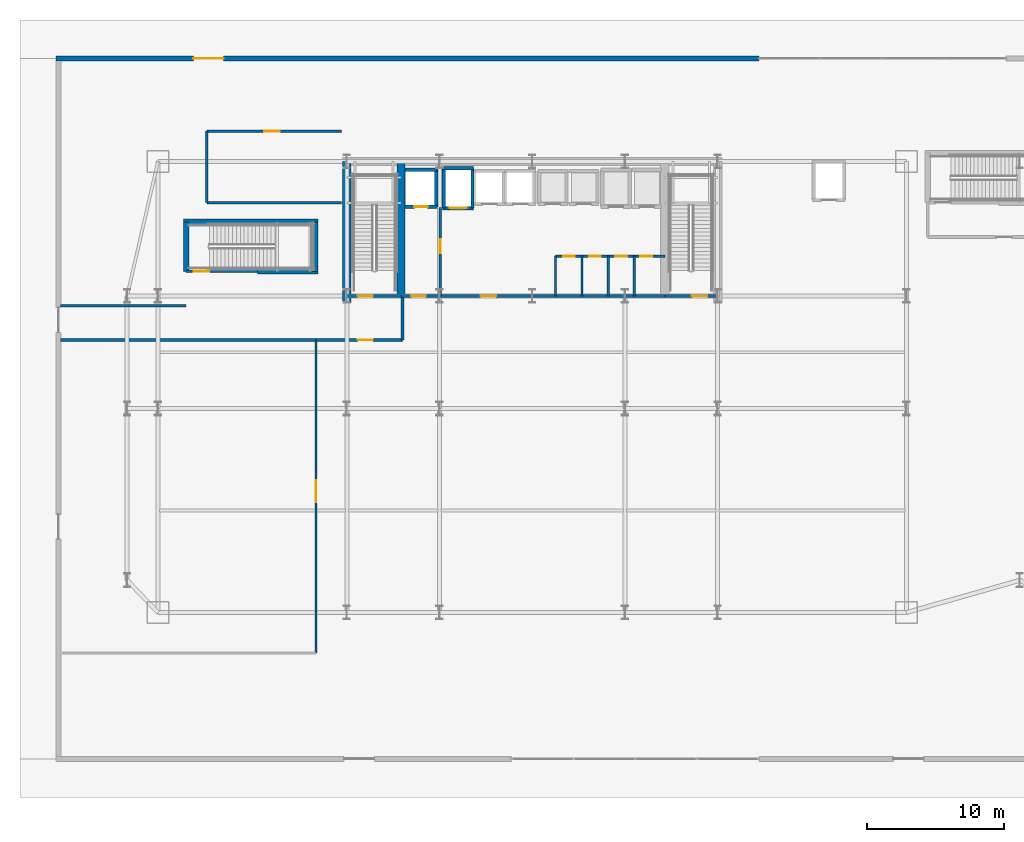
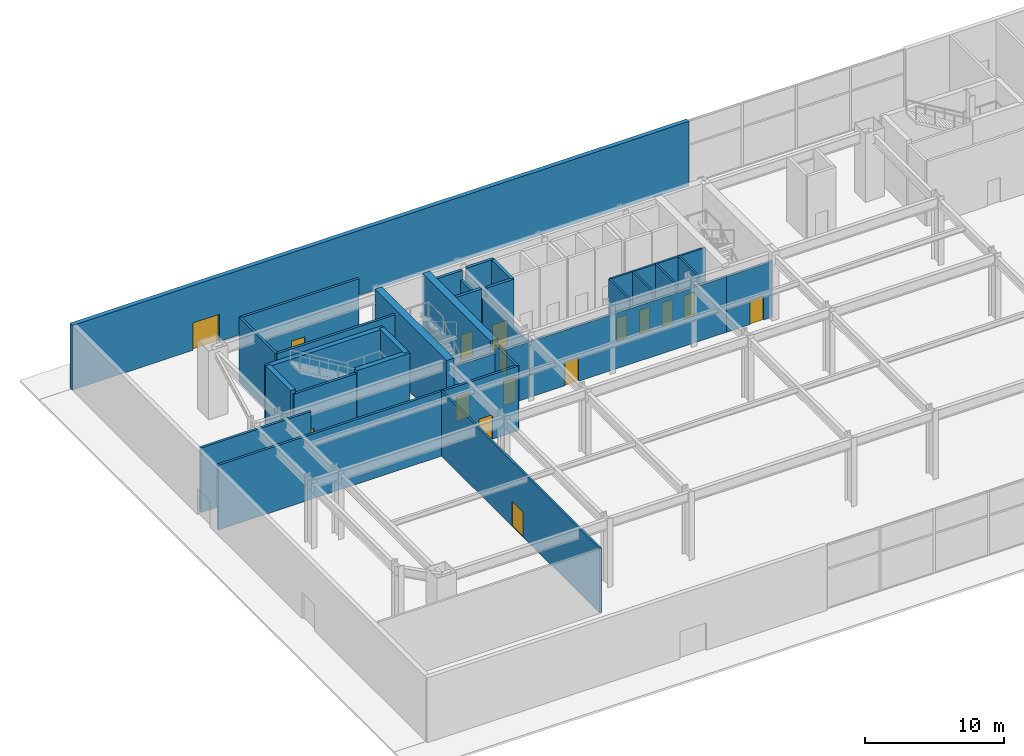
# One storey, part 20 of 30: 32 walls, 16 doors, 16 openings.
"""IFC4 building model written with IfcOpenShell, lengths in metres."""

from ifc_helpers import new_model, si_unit, direction, frame, frame_2d, origin, place, context, subcontext, project, spatial, rectangle, extrude, material, layer, layer_set, type_object, element, fill, save


model = new_model("IFC4")

# Units and contexts
model_context = context("Model", 3, precision=1e-05, world=origin(), true_north=direction((0.0, 1.0)))
body_context = subcontext(model_context, "Body", "Model", "MODEL_VIEW")
ifc_project = project(units=[si_unit("LENGTHUNIT", "METRE"), si_unit("AREAUNIT", "SQUARE_METRE"), si_unit("VOLUMEUNIT", "CUBIC_METRE"), si_unit("PLANEANGLEUNIT", "RADIAN"), si_unit("MASSUNIT", "GRAM", prefix="KILO")], contexts=[model_context])

# Site, building, storey
site_placement = place(None, origin())
site = spatial("IfcSite", under=ifc_project, at=site_placement, CompositionType="ELEMENT")
building_placement = place(site_placement, origin())
building = spatial("IfcBuilding", under=site, at=building_placement, Name="Haevon Station Towers", CompositionType="ELEMENT")
storey_placement = place(building_placement, origin())
storey = spatial("IfcBuildingStorey", under=building, at=storey_placement, Name="L00", CompositionType="ELEMENT", Elevation=0.0)

# Wall, opening, door
ifc_material_1 = material(Name="Gypsum board on steel stud", Category="steel")
ifc_layer_1 = layer(ifc_material_1, 0.199951171875)
ifc_layer_set_1 = layer_set([ifc_layer_1], Name="Gypsum board on steel stud")
wall_type_1 = type_object("IfcWallType", Name="WL-COR200", PredefinedType="PARTITIONING", material=ifc_layer_set_1)
wall_1_placement = place(storey_placement, frame((27.949951171875, 38.199951171875, 0.0), z_axis=(0.0, 0.0, 1.0), x_axis=(-1.0, 0.0, 0.0)))
wall_1 = element("IfcWall", 1, at=wall_1_placement, inside=storey, type_object=wall_type_1, Name="WL-ST-ST1-L00", PredefinedType="PARTITIONING", context=body_context, shape_type="SweptSolid", body=[
    extrude(rectangle(XDim=3.949951171875, YDim=0.199951171875, at=frame_2d((1.97509765625, 0.0))), origin(), (0.0, 0.0, 1.0), 4.8798828125),
])
opening_1_placement = place(wall_1_placement, frame((2.050048828125, 0.0, 0.0)))
opening_1 = element("IfcOpeningElement", 2, at=opening_1_placement, cuts=wall_1, Name="Opening DR-ST-ST1-L00", PredefinedType="OPENING", context=body_context, shape_type="SweptSolid", body=[
    extrude(rectangle(XDim=1.1201171875, YDim=2.10009765625, at=frame_2d((0.56005859375, 1.050048828125))), frame((0.0, 0.10986328125, 0.0), z_axis=(0.0, -1.0, 0.0), x_axis=(1.0, 0.0, 0.0)), (0.0, 0.0, 1.0), 0.219970703125),
])
ifc_material_2 = material(Name="Engineered oak timber", Category="wood")
door_type_1 = type_object("IfcDoorType", Name="DR-ST-1120", OperationType="NOTDEFINED", PredefinedType="DOOR", material=ifc_material_2)
door_1_placement = place(opening_1_placement, origin())
door_1 = element("IfcDoor", 3, at=door_1_placement, inside=storey, type_object=door_type_1, Name="L00 Escape Stair ST1 Fire Door", OperationType="SINGLE_SWING_LEFT", OverallHeight=2.10009765625, OverallWidth=1.1201171875, PredefinedType="DOOR", context=body_context, shape_type="SweptSolid", body=[
    extrude(rectangle(XDim=1.1201171875, YDim=2.10009765625, at=frame_2d((0.56005859375, 1.050048828125))), frame((0.0, 0.02490234375, 0.0), z_axis=(0.0, -1.0, 0.0), x_axis=(1.0, 0.0, 0.0)), (0.0, 0.0, 1.0), 0.050048828125),
])
fill(opening_1, door_1)

wall_2_placement = place(storey_placement, frame((51.0, 38.199951171875, 0.0), z_axis=(0.0, 0.0, 1.0), x_axis=(-1.0, 0.0, 0.0)))
wall_2 = element("IfcWall", 4, at=wall_2_placement, inside=storey, type_object=wall_type_1, Name="WL-ST-ST2-L00", PredefinedType="PARTITIONING", context=body_context, shape_type="SweptSolid", body=[
    extrude(rectangle(XDim=3.85009765625, YDim=0.199951171875, at=frame_2d((1.925048828125, 0.0))), origin(), (0.0, 0.0, 1.0), 4.8798828125),
])
opening_2_placement = place(wall_2_placement, frame((0.75, 0.0, 0.0)))
opening_2 = element("IfcOpeningElement", 5, at=opening_2_placement, cuts=wall_2, Name="Opening DR-ST-ST2-L00", PredefinedType="OPENING", context=body_context, shape_type="SweptSolid", body=[
    extrude(rectangle(XDim=1.1201171875, YDim=2.10009765625, at=frame_2d((0.56005859375, 1.050048828125))), frame((0.0, 0.10986328125, 0.0), z_axis=(0.0, -1.0, 0.0), x_axis=(1.0, 0.0, 0.0)), (0.0, 0.0, 1.0), 0.219970703125),
])
door_2_placement = place(opening_2_placement, origin())
door_2 = element("IfcDoor", 6, at=door_2_placement, inside=storey, type_object=door_type_1, Name="L00 Escape Stair ST2 Fire Door", OperationType="SINGLE_SWING_RIGHT", OverallHeight=2.10009765625, OverallWidth=1.1201171875, PredefinedType="DOOR", context=body_context, shape_type="SweptSolid", body=[
    extrude(rectangle(XDim=1.1201171875, YDim=2.10009765625, at=frame_2d((0.56005859375, 1.050048828125))), frame((0.0, 0.02490234375, 0.0), z_axis=(0.0, -1.0, 0.0), x_axis=(1.0, 0.0, 0.0)), (0.0, 0.0, 1.0), 0.050048828125),
])
fill(opening_2, door_2)

wall_3_placement = place(storey_placement, frame((30.800048828125, 38.199951171875, 0.0), z_axis=(0.0, 0.0, 1.0), x_axis=(0.0, 1.0, 0.0)))
wall_3 = element("IfcWall", 7, at=wall_3_placement, inside=storey, type_object=wall_type_1, Name="WL-T1FFL-L00-E", PredefinedType="PARTITIONING", context=body_context, shape_type="SweptSolid", body=[
    extrude(rectangle(XDim=6.449951171875, YDim=0.199951171875, at=frame_2d((3.22509765625, 0.0))), origin(), (0.0, 0.0, 1.0), 4.8798828125),
])
opening_3_placement = place(wall_3_placement, frame((3.10009765625, 0.0, 0.0)))
opening_3 = element("IfcOpeningElement", 8, at=opening_3_placement, cuts=wall_3, Name="Opening DR-T1FFL-L00-E", PredefinedType="OPENING", context=body_context, shape_type="SweptSolid", body=[
    extrude(rectangle(XDim=1.050048828125, YDim=2.10009765625, at=frame_2d((0.52490234375, 1.050048828125))), frame((0.0, 0.10986328125, 0.0), z_axis=(0.0, -1.0, 0.0), x_axis=(1.0, 0.0, 0.0)), (0.0, 0.0, 1.0), 0.219970703125),
])
door_type_2 = type_object("IfcDoorType", Name="DR-FD60-1050", OperationType="NOTDEFINED", PredefinedType="DOOR", material=ifc_material_2)
door_3_placement = place(opening_3_placement, origin())
door_3 = element("IfcDoor", 9, at=door_3_placement, inside=storey, type_object=door_type_2, Name="L00 Tower 1 Firefighting Lift Lobby Door E", OperationType="SINGLE_SWING_LEFT", OverallHeight=2.10009765625, OverallWidth=1.050048828125, PredefinedType="DOOR", context=body_context, shape_type="SweptSolid", body=[
    extrude(rectangle(XDim=1.050048828125, YDim=2.10009765625, at=frame_2d((0.52490234375, 1.050048828125))), frame((0.0, 0.02490234375, 0.0), z_axis=(0.0, -1.0, 0.0), x_axis=(1.0, 0.0, 0.0)), (0.0, 0.0, 1.0), 0.050048828125),
])
fill(opening_3, door_3)

wall_4_placement = place(storey_placement, frame((27.949951171875, 38.199951171875, 0.0), z_axis=(0.0, 0.0, 1.0), x_axis=(1.0, 0.0, 0.0)))
wall_4 = element("IfcWall", 10, at=wall_4_placement, inside=storey, type_object=wall_type_1, Name="WL-T1FFL-L00-S", PredefinedType="PARTITIONING", context=body_context, shape_type="SweptSolid", body=[
    extrude(rectangle(XDim=2.85009765625, YDim=0.199951171875, at=frame_2d((1.425048828125, 0.0))), origin(), (0.0, 0.0, 1.0), 4.8798828125),
])
opening_4_placement = place(wall_4_placement, frame((0.75, 0.0, 0.0)))
opening_4 = element("IfcOpeningElement", 11, at=opening_4_placement, cuts=wall_4, Name="Opening DR-T1FFL-L00-S", PredefinedType="OPENING", context=body_context, shape_type="SweptSolid", body=[
    extrude(rectangle(XDim=1.050048828125, YDim=2.10009765625, at=frame_2d((0.52490234375, 1.050048828125))), frame((0.0, 0.10986328125, 0.0), z_axis=(0.0, -1.0, 0.0), x_axis=(1.0, 0.0, 0.0)), (0.0, 0.0, 1.0), 0.219970703125),
])
door_4_placement = place(opening_4_placement, origin())
door_4 = element("IfcDoor", 12, at=door_4_placement, inside=storey, type_object=door_type_2, Name="L00 Tower 1 Firefighting Lift Lobby Door S", OperationType="SINGLE_SWING_RIGHT", OverallHeight=2.10009765625, OverallWidth=1.050048828125, PredefinedType="DOOR", context=body_context, shape_type="SweptSolid", body=[
    extrude(rectangle(XDim=1.050048828125, YDim=2.10009765625, at=frame_2d((0.52490234375, 1.050048828125))), frame((0.0, 0.02490234375, 0.0), z_axis=(0.0, -1.0, 0.0), x_axis=(1.0, 0.0, 0.0)), (0.0, 0.0, 1.0), 0.050048828125),
])
fill(opening_4, door_4)

wall_5_placement = place(storey_placement, frame((30.800048828125, 38.199951171875, 0.0), z_axis=(0.0, 0.0, 1.0), x_axis=(1.0, 0.0, 0.0)))
wall_5 = element("IfcWall", 13, at=wall_5_placement, inside=storey, type_object=wall_type_1, Name="WL-T1CLB-L00", PredefinedType="PARTITIONING", context=body_context, shape_type="SweptSolid", body=[
    extrude(rectangle(XDim=16.349853515625, YDim=0.199951171875, at=frame_2d((8.1748046875, 0.0))), origin(), (0.0, 0.0, 1.0), 4.8798828125),
])
opening_5_placement = place(wall_5_placement, frame((2.949951171875, 0.0, 0.0)))
opening_5 = element("IfcOpeningElement", 14, at=opening_5_placement, cuts=wall_5, Name="Opening DR-T1CLB-L00-1", PredefinedType="OPENING", context=body_context, shape_type="SweptSolid", body=[
    extrude(rectangle(XDim=1.1201171875, YDim=2.10009765625, at=frame_2d((0.56005859375, 1.050048828125))), frame((0.0, 0.10986328125, 0.0), z_axis=(0.0, -1.0, 0.0), x_axis=(1.0, 0.0, 0.0)), (0.0, 0.0, 1.0), 0.219970703125),
])
door_5_placement = place(opening_5_placement, origin())
door_5 = element("IfcDoor", 15, at=door_5_placement, inside=storey, type_object=door_type_1, Name="L00 Tower 1 Core Lift Lobby Door 1", OperationType="SINGLE_SWING_LEFT", OverallHeight=2.10009765625, OverallWidth=1.1201171875, PredefinedType="DOOR", context=body_context, shape_type="SweptSolid", body=[
    extrude(rectangle(XDim=1.1201171875, YDim=2.10009765625, at=frame_2d((0.56005859375, 1.050048828125))), frame((0.0, 0.02490234375, 0.0), z_axis=(0.0, -1.0, 0.0), x_axis=(1.0, 0.0, 0.0)), (0.0, 0.0, 1.0), 0.050048828125),
])
fill(opening_5, door_5)

wall_6_placement = place(storey_placement, frame((17.5, 40.0, 0.0), z_axis=(0.0, 0.0, 1.0), x_axis=(-1.0, 0.0, 0.0)))
wall_6 = element("IfcWall", 16, at=wall_6_placement, inside=storey, type_object=wall_type_1, Name="WL-ST-ST5-L00-S", PredefinedType="PARTITIONING", context=body_context, shape_type="SweptSolid", body=[
    extrude(rectangle(XDim=5.199951171875, YDim=0.199951171875, at=frame_2d((2.60009765625, 0.0))), origin(), (0.0, 0.0, 1.0), 5.679931640625),
])
opening_6_placement = place(wall_6_placement, frame((3.530029296875, 0.0, 0.0)))
opening_6 = element("IfcOpeningElement", 17, at=opening_6_placement, cuts=wall_6, Name="Opening DR-ST-ST5-L00", PredefinedType="OPENING", context=body_context, shape_type="SweptSolid", body=[
    extrude(rectangle(XDim=1.1201171875, YDim=2.10009765625, at=frame_2d((0.56005859375, 1.050048828125))), frame((0.0, 0.10986328125, 0.0), z_axis=(0.0, -1.0, 0.0), x_axis=(1.0, 0.0, 0.0)), (0.0, 0.0, 1.0), 0.219970703125),
])
door_6_placement = place(opening_6_placement, origin())
door_6 = element("IfcDoor", 18, at=door_6_placement, inside=storey, type_object=door_type_1, Name="L00 Station Escape Stair ST5 Fire Door", OperationType="SINGLE_SWING_LEFT", OverallHeight=2.10009765625, OverallWidth=1.1201171875, PredefinedType="DOOR", context=body_context, shape_type="SweptSolid", body=[
    extrude(rectangle(XDim=1.1201171875, YDim=2.10009765625, at=frame_2d((0.56005859375, 1.050048828125))), frame((0.0, 0.02490234375, 0.0), z_axis=(0.0, -1.0, 0.0), x_axis=(1.0, 0.0, 0.0)), (0.0, 0.0, 1.0), 0.050048828125),
])
fill(opening_6, door_6)

wall_7_placement = place(storey_placement, frame((3.14990234375, 35.0, 0.0), z_axis=(0.0, 0.0, 1.0), x_axis=(1.0, 0.0, 0.0)))
wall_7 = element("IfcWall", 19, at=wall_7_placement, inside=storey, type_object=wall_type_1, Name="WL-L00-EXW-S1", PredefinedType="PARTITIONING", context=body_context, shape_type="SweptSolid", body=[
    extrude(rectangle(XDim=24.900146484375, YDim=0.199951171875, at=frame_2d((12.4501953125, 0.0))), origin(), (0.0, 0.0, 1.0), 5.679931640625),
])
opening_7_placement = place(wall_7_placement, frame((21.64990234375, 0.0, 0.0)))
opening_7 = element("IfcOpeningElement", 20, at=opening_7_placement, cuts=wall_7, Name="Opening DR-WL-L00-EXW-S1-1", PredefinedType="OPENING", context=body_context, shape_type="SweptSolid", body=[
    extrude(rectangle(XDim=1.10009765625, YDim=2.14990234375, at=frame_2d((0.550048828125, 1.074951171875))), frame((0.0, 0.10986328125, 0.0), z_axis=(0.0, -1.0, 0.0), x_axis=(1.0, 0.0, 0.0)), (0.0, 0.0, 1.0), 0.219970703125),
])
door_type_3 = type_object("IfcDoorType", Name="DR-FD60-1100", OperationType="NOTDEFINED", PredefinedType="DOOR", material=ifc_material_2)
door_7_placement = place(opening_7_placement, origin())
door_7 = element("IfcDoor", 21, at=door_7_placement, inside=storey, type_object=door_type_3, Name="L00 Interior Door WL-L00-EXW-S1-1", OperationType="SINGLE_SWING_RIGHT", OverallHeight=2.14990234375, OverallWidth=1.10009765625, PredefinedType="DOOR", context=body_context, shape_type="SweptSolid", body=[
    extrude(rectangle(XDim=1.10009765625, YDim=2.14990234375, at=frame_2d((0.550048828125, 1.074951171875))), frame((0.0, 0.02490234375, 0.0), z_axis=(0.0, -1.0, 0.0), x_axis=(1.0, 0.0, 0.0)), (0.0, 0.0, 1.0), 0.050048828125),
])
fill(opening_7, door_7)

# Walls
wall_8_placement = place(storey_placement, frame((28.050048828125, 35.0, 0.0), z_axis=(0.0, 0.0, 1.0), x_axis=(0.0, 1.0, 0.0)))
element("IfcWall", 22, at=wall_8_placement, inside=storey, type_object=wall_type_1, Name="WL-L00-EXW-E1", PredefinedType="PARTITIONING", context=body_context, shape_type="SweptSolid", body=[
    extrude(rectangle(XDim=3.199951171875, YDim=0.199951171875, at=frame_2d((1.60009765625, 0.0))), origin(), (0.0, 0.0, 1.0), 5.679931640625),
])
wall_9_placement = place(storey_placement, frame((3.14990234375, 37.5, 0.0), z_axis=(0.0, 0.0, 1.0), x_axis=(1.0, 0.0, 0.0)))
element("IfcWall", 23, at=wall_9_placement, inside=storey, type_object=wall_type_1, Name="WL-L00-EXW-N1", PredefinedType="PARTITIONING", context=body_context, shape_type="SweptSolid", body=[
    extrude(rectangle(XDim=9.150146484375, YDim=0.199951171875, at=frame_2d((4.5751953125, 0.0))), origin(), (0.0, 0.0, 1.0), 5.679931640625),
])
wall_10_placement = place(storey_placement, frame((13.800048828125, 45.0, 0.0), z_axis=(0.0, 0.0, 1.0), x_axis=(1.0, 0.0, 0.0)))
element("IfcWall", 24, at=wall_10_placement, inside=storey, type_object=wall_type_1, Name="WL-L00-FCMD-S", PredefinedType="PARTITIONING", context=body_context, shape_type="SweptSolid", body=[
    extrude(rectangle(XDim=9.800048828125, YDim=0.199951171875, at=frame_2d((4.89990234375, 0.0))), origin(), (0.0, 0.0, 1.0), 5.679931640625),
])
wall_11_placement = place(storey_placement, frame((13.800048828125, 45.0, 0.0), z_axis=(0.0, 0.0, 1.0), x_axis=(0.0, 1.0, 0.0)))
element("IfcWall", 25, at=wall_11_placement, inside=storey, type_object=wall_type_1, Name="WL-L00-FCMD-W", PredefinedType="PARTITIONING", context=body_context, shape_type="SweptSolid", body=[
    extrude(rectangle(XDim=5.199951171875, YDim=0.199951171875, at=frame_2d((2.60009765625, 0.0))), origin(), (0.0, 0.0, 1.0), 5.679931640625),
])

# Wall, opening, door
wall_12_placement = place(storey_placement, frame((13.800048828125, 50.199951171875, 0.0), z_axis=(0.0, 0.0, 1.0), x_axis=(1.0, 0.0, 0.0)))
wall_12 = element("IfcWall", 26, at=wall_12_placement, inside=storey, type_object=wall_type_1, Name="WL-L00-FCMD-N", PredefinedType="PARTITIONING", context=body_context, shape_type="SweptSolid", body=[
    extrude(rectangle(XDim=9.800048828125, YDim=0.199951171875, at=frame_2d((4.89990234375, 0.0))), origin(), (0.0, 0.0, 1.0), 5.679931640625),
])
opening_8_placement = place(wall_12_placement, frame((4.199951171875, 0.0, 0.0)))
opening_8 = element("IfcOpeningElement", 27, at=opening_8_placement, cuts=wall_12, Name="Opening DR-WL-L00-FCMD-N-1", PredefinedType="OPENING", context=body_context, shape_type="SweptSolid", body=[
    extrude(rectangle(XDim=1.10009765625, YDim=2.14990234375, at=frame_2d((0.550048828125, 1.074951171875))), frame((0.0, 0.10986328125, 0.0), z_axis=(0.0, -1.0, 0.0), x_axis=(1.0, 0.0, 0.0)), (0.0, 0.0, 1.0), 0.219970703125),
])
door_8_placement = place(opening_8_placement, origin())
door_8 = element("IfcDoor", 28, at=door_8_placement, inside=storey, type_object=door_type_3, Name="L00 Interior Door WL-L00-FCMD-N-1", OperationType="SINGLE_SWING_LEFT", OverallHeight=2.14990234375, OverallWidth=1.10009765625, PredefinedType="DOOR", context=body_context, shape_type="SweptSolid", body=[
    extrude(rectangle(XDim=1.10009765625, YDim=2.14990234375, at=frame_2d((0.550048828125, 1.074951171875))), frame((0.0, 0.02490234375, 0.0), z_axis=(0.0, -1.0, 0.0), x_axis=(1.0, 0.0, 0.0)), (0.0, 0.0, 1.0), 0.050048828125),
])
fill(opening_8, door_8)

# Walls
ifc_material_3 = material(Name="Concrete C60/75", Category="concrete")
ifc_layer_2 = layer(ifc_material_3, 0.39990234375)
ifc_layer_set_2 = layer_set([ifc_layer_2], Name="Concrete C60/75")
wall_type_2 = type_object("IfcWallType", Name="WL-CR400", PredefinedType="SHEAR", material=ifc_layer_set_2)
wall_13_placement = place(storey_placement, frame((12.10009765625, 43.60009765625, 0.0), z_axis=(0.0, 0.0, 1.0), x_axis=(1.0, 0.0, 0.0)))
element("IfcWall", 29, at=wall_13_placement, inside=storey, type_object=wall_type_2, Name="WL-ST5CR-L00-N", PredefinedType="SHEAR", context=body_context, shape_type="SweptSolid", body=[
    extrude(rectangle(XDim=9.7998046875, YDim=0.39990234375, at=frame_2d((4.89990234375, 0.0))), origin(), (0.0, 0.0, 1.0), 6.0),
])
for number, where, z_axis, x_axis, name in (
    (30, (12.300048828125, 40.0, 0.0), (0.0, 0.0, 1.0), (0.0, 1.0, 0.0), "WL-ST5CR-L00-W"),
    (31, (21.699951171875, 40.0, 0.0), (0.0, 0.0, 1.0), (0.0, 1.0, 0.0), "WL-ST5CR-L00-E"),
):
    element("IfcWall", number, at=place(storey_placement, frame(where, z_axis=z_axis, x_axis=x_axis)), inside=storey, type_object=wall_type_2, Name=name, PredefinedType="SHEAR", context=body_context, shape_type="SweptSolid", body=[
        extrude(rectangle(XDim=3.60009765625, YDim=0.39990234375, at=frame_2d((1.800048828125, 0.0))), origin(), (0.0, 0.0, 1.0), 6.0),
    ])
wall_14_placement = place(storey_placement, frame((17.5, 40.0, 0.0), z_axis=(0.0, 0.0, 1.0), x_axis=(1.0, 0.0, 0.0)))
element("IfcWall", 32, at=wall_14_placement, inside=storey, type_object=wall_type_2, Name="WL-ST5CR-L00-S2", PredefinedType="SHEAR", context=body_context, shape_type="SweptSolid", body=[
    extrude(rectangle(XDim=4.39990234375, YDim=0.39990234375, at=frame_2d((2.199951171875, 0.0))), origin(), (0.0, 0.0, 1.0), 6.0),
])
ifc_layer_3 = layer(ifc_material_3, 0.60009765625)
ifc_layer_set_3 = layer_set([ifc_layer_3], Name="Concrete C60/75")
wall_type_3 = type_object("IfcWallType", Name="WL-CR600", PredefinedType="SHEAR", material=ifc_layer_set_3)
wall_15_placement = place(storey_placement, frame((24.0, 37.679931640625, 0.0), z_axis=(0.0, 0.0, 1.0), x_axis=(0.0, 1.0, 0.0)))
element("IfcWall", 33, at=wall_15_placement, inside=storey, type_object=wall_type_3, Name="WL-T1CR-L00-W", PredefinedType="SHEAR", context=body_context, shape_type="SweptSolid", body=[
    extrude(rectangle(XDim=10.320068359375, YDim=0.60009765625, at=frame_2d((5.16015625, 0.0))), origin(), (0.0, 0.0, 1.0), 6.0),
])
wall_16_placement = place(storey_placement, frame((27.949951171875, 38.199951171875, 0.0), z_axis=(0.0, 0.0, 1.0), x_axis=(0.0, 1.0, 0.0)))
element("IfcWall", 34, at=wall_16_placement, inside=storey, type_object=wall_type_3, Name="WL-T1CR-L00-M1", PredefinedType="SHEAR", context=body_context, shape_type="SweptSolid", body=[
    extrude(rectangle(XDim=9.800048828125, YDim=0.60009765625, at=frame_2d((4.89990234375, 0.0))), origin(), (0.0, 0.0, 1.0), 6.0),
])

# Wall, opening, door
ifc_material_4 = material(Name="Precast concrete C45/55", Category="concrete")
ifc_layer_4 = layer(ifc_material_4, 0.360107421875)
ifc_layer_set_4 = layer_set([ifc_layer_4], Name="Precast concrete C45/55")
wall_type_4 = type_object("IfcWallType", Name="WL-EXT-POD360", PredefinedType="SOLIDWALL", material=ifc_layer_set_4)
wall_17_placement = place(storey_placement, frame((2.820068359375, 55.5, 0.0), z_axis=(0.0, 0.0, 1.0), x_axis=(1.0, 0.0, 0.0)))
wall_17 = element("IfcWall", 35, at=wall_17_placement, inside=storey, type_object=wall_type_4, Name="WL-POD-L00-N1", PredefinedType="SOLIDWALL", context=body_context, shape_type="SweptSolid", body=[
    extrude(rectangle(XDim=51.179931640625, YDim=0.360107421875, at=frame_2d((25.58984375, 0.0))), origin(), (0.0, 0.0, 1.0), 5.679931640625),
])
opening_9_placement = place(wall_17_placement, frame((10.0, 0.0, 0.0)))
opening_9 = element("IfcOpeningElement", 36, at=opening_9_placement, cuts=wall_17, Name="Opening DR-L00-EXIT-06", PredefinedType="OPENING", context=body_context, shape_type="SweptSolid", body=[
    extrude(rectangle(XDim=2.199951171875, YDim=2.39990234375, at=frame_2d((1.10009765625, 1.199951171875))), frame((0.0, 0.18994140625, 0.0), z_axis=(0.0, -1.0, 0.0), x_axis=(1.0, 0.0, 0.0)), (0.0, 0.0, 1.0), 0.380126953125),
])
ifc_material_5 = material(Name="Thermally broken anodised aluminium and laminated safety glass", Category="aluminium")
door_type_4 = type_object("IfcDoorType", Name="DR-EXT-2200", OperationType="NOTDEFINED", PredefinedType="DOOR", material=ifc_material_5)
door_9_placement = place(opening_9_placement, origin())
door_9 = element("IfcDoor", 37, at=door_9_placement, inside=storey, type_object=door_type_4, Name="L00 Pedestrian Street Exit Door 06", OperationType="DOUBLE_DOOR_SINGLE_SWING", OverallHeight=2.39990234375, OverallWidth=2.199951171875, PredefinedType="DOOR", context=body_context, shape_type="SweptSolid", body=[
    extrude(rectangle(XDim=2.199951171875, YDim=2.39990234375, at=frame_2d((1.10009765625, 1.199951171875))), frame((0.0, 0.02490234375, 0.0), z_axis=(0.0, -1.0, 0.0), x_axis=(1.0, 0.0, 0.0)), (0.0, 0.0, 1.0), 0.050048828125),
])
fill(opening_9, door_9)

ifc_layer_5 = layer(ifc_material_1, 0.159912109375)
ifc_layer_set_5 = layer_set([ifc_layer_5], Name="Gypsum board on steel stud")
wall_type_5 = type_object("IfcWallType", Name="WL-PRT160", PredefinedType="PARTITIONING", material=ifc_layer_set_5)
wall_18_placement = place(storey_placement, frame((21.75, 12.199951171875, 0.0), z_axis=(0.0, 0.0, 1.0), x_axis=(0.0, 1.0, 0.0)))
wall_18 = element("IfcWall", 38, at=wall_18_placement, inside=storey, type_object=wall_type_5, Name="WL-L00-RETW", PredefinedType="PARTITIONING", context=body_context, shape_type="SweptSolid", body=[
    extrude(rectangle(XDim=22.800048828125, YDim=0.159912109375, at=frame_2d((11.39990234375, 0.0))), origin(), (0.0, 0.0, 1.0), 5.679931640625),
])
opening_10_placement = place(wall_18_placement, frame((11.0, 0.0, 0.0)))
opening_10 = element("IfcOpeningElement", 39, at=opening_10_placement, cuts=wall_18, Name="Opening DR-WL-L00-RETW-1", PredefinedType="OPENING", context=body_context, shape_type="SweptSolid", body=[
    extrude(rectangle(XDim=1.60009765625, YDim=2.199951171875, at=frame_2d((0.800048828125, 1.10009765625))), frame((0.0, 0.08984375, 0.0), z_axis=(0.0, -1.0, 0.0), x_axis=(1.0, 0.0, 0.0)), (0.0, 0.0, 1.0), 0.179931640625),
])
door_type_5 = type_object("IfcDoorType", Name="DR-POD-1600", OperationType="NOTDEFINED", PredefinedType="DOOR", material=ifc_material_2)
door_10_placement = place(opening_10_placement, origin())
door_10 = element("IfcDoor", 40, at=door_10_placement, inside=storey, type_object=door_type_5, Name="L00 Interior Door WL-L00-RETW-1", OperationType="DOUBLE_DOOR_SINGLE_SWING", OverallHeight=2.199951171875, OverallWidth=1.60009765625, PredefinedType="DOOR", context=body_context, shape_type="SweptSolid", body=[
    extrude(rectangle(XDim=1.60009765625, YDim=2.199951171875, at=frame_2d((0.800048828125, 1.10009765625))), frame((0.0, 0.02490234375, 0.0), z_axis=(0.0, -1.0, 0.0), x_axis=(1.0, 0.0, 0.0)), (0.0, 0.0, 1.0), 0.050048828125),
])
fill(opening_10, door_10)

# Walls
for number, where, z_axis, x_axis, name in (
    (41, (39.199951171875, 38.199951171875, 0.0), (0.0, 0.0, 1.0), (0.0, 1.0, 0.0), "WL-T1CW-L00-01"),
    (42, (41.1298828125, 38.199951171875, 0.0), (0.0, 0.0, 1.0), (0.0, 1.0, 0.0), "WL-T1CW-L00-02"),
    (43, (43.030029296875, 38.199951171875, 0.0), (0.0, 0.0, 1.0), (0.0, 1.0, 0.0), "WL-T1CW-L00-03"),
    (44, (44.929931640625, 38.199951171875, 0.0), (0.0, 0.0, 1.0), (0.0, 1.0, 0.0), "WL-T1CW-L00-04"),
):
    element("IfcWall", number, at=place(storey_placement, frame(where, z_axis=z_axis, x_axis=x_axis)), inside=storey, type_object=wall_type_5, Name=name, PredefinedType="PARTITIONING", context=body_context, shape_type="SweptSolid", body=[
        extrude(rectangle(XDim=2.900146484375, YDim=0.159912109375, at=frame_2d((1.4501953125, 0.0))), origin(), (0.0, 0.0, 1.0), 5.679931640625),
    ])

# Wall, openings, doors
wall_19_placement = place(storey_placement, frame((39.199951171875, 41.10009765625, 0.0), z_axis=(0.0, 0.0, 1.0), x_axis=(1.0, 0.0, 0.0)))
wall_19 = element("IfcWall", 45, at=wall_19_placement, inside=storey, type_object=wall_type_5, Name="WL-T1CW-L00-05", PredefinedType="PARTITIONING", context=body_context, shape_type="SweptSolid", body=[
    extrude(rectangle(XDim=7.949951171875, YDim=0.159912109375, at=frame_2d((3.97509765625, 0.0))), origin(), (0.0, 0.0, 1.0), 5.679931640625),
])
opening_11_placement = place(wall_19_placement, frame((0.56005859375, 0.0, 0.0)))
opening_11 = element("IfcOpeningElement", 46, at=opening_11_placement, cuts=wall_19, Name="Opening DR-WL-T1CW-L00-05-1", PredefinedType="OPENING", context=body_context, shape_type="SweptSolid", body=[
    extrude(rectangle(XDim=0.85009765625, YDim=2.050048828125, at=frame_2d((0.425048828125, 1.02490234375))), frame((0.0, 0.08984375, 0.0), z_axis=(0.0, -1.0, 0.0), x_axis=(1.0, 0.0, 0.0)), (0.0, 0.0, 1.0), 0.179931640625),
])
opening_12_placement = place(wall_19_placement, frame((2.455078125, 0.0, 0.0)))
opening_12 = element("IfcOpeningElement", 47, at=opening_12_placement, cuts=wall_19, Name="Opening DR-WL-T1CW-L00-05-2", PredefinedType="OPENING", context=body_context, shape_type="SweptSolid", body=[
    extrude(rectangle(XDim=0.85009765625, YDim=2.050048828125, at=frame_2d((0.425048828125, 1.02490234375))), frame((0.0, 0.08984375, 0.0), z_axis=(0.0, -1.0, 0.0), x_axis=(1.0, 0.0, 0.0)), (0.0, 0.0, 1.0), 0.179931640625),
])
opening_13_placement = place(wall_19_placement, frame((4.35498046875, 0.0, 0.0)))
opening_13 = element("IfcOpeningElement", 48, at=opening_13_placement, cuts=wall_19, Name="Opening DR-WL-T1CW-L00-05-3", PredefinedType="OPENING", context=body_context, shape_type="SweptSolid", body=[
    extrude(rectangle(XDim=0.85009765625, YDim=2.050048828125, at=frame_2d((0.425048828125, 1.02490234375))), frame((0.0, 0.08984375, 0.0), z_axis=(0.0, -1.0, 0.0), x_axis=(1.0, 0.0, 0.0)), (0.0, 0.0, 1.0), 0.179931640625),
])
opening_14_placement = place(wall_19_placement, frame((6.179931640625, 0.0, 0.0)))
opening_14 = element("IfcOpeningElement", 49, at=opening_14_placement, cuts=wall_19, Name="Opening DR-WL-T1CW-L00-05-4", PredefinedType="OPENING", context=body_context, shape_type="SweptSolid", body=[
    extrude(rectangle(XDim=0.85009765625, YDim=2.050048828125, at=frame_2d((0.425048828125, 1.02490234375))), frame((0.0, 0.08984375, 0.0), z_axis=(0.0, -1.0, 0.0), x_axis=(1.0, 0.0, 0.0)), (0.0, 0.0, 1.0), 0.179931640625),
])
door_type_6 = type_object("IfcDoorType", Name="DR-FD30-850", OperationType="NOTDEFINED", PredefinedType="DOOR", material=ifc_material_2)
door_11_placement = place(opening_11_placement, origin())
door_11 = element("IfcDoor", 50, at=door_11_placement, inside=storey, type_object=door_type_6, Name="L00 Tower 1 Core Room Door 5-1", OperationType="SINGLE_SWING_RIGHT", OverallHeight=2.050048828125, OverallWidth=0.85009765625, PredefinedType="DOOR", context=body_context, shape_type="SweptSolid", body=[
    extrude(rectangle(XDim=0.85009765625, YDim=2.050048828125, at=frame_2d((0.425048828125, 1.02490234375))), frame((0.0, 0.02490234375, 0.0), z_axis=(0.0, -1.0, 0.0), x_axis=(1.0, 0.0, 0.0)), (0.0, 0.0, 1.0), 0.050048828125),
])
fill(opening_11, door_11)
door_12_placement = place(opening_12_placement, origin())
door_12 = element("IfcDoor", 51, at=door_12_placement, inside=storey, type_object=door_type_6, Name="L00 Tower 1 Core Room Door 5-2", OperationType="SINGLE_SWING_LEFT", OverallHeight=2.050048828125, OverallWidth=0.85009765625, PredefinedType="DOOR", context=body_context, shape_type="SweptSolid", body=[
    extrude(rectangle(XDim=0.85009765625, YDim=2.050048828125, at=frame_2d((0.425048828125, 1.02490234375))), frame((0.0, 0.02490234375, 0.0), z_axis=(0.0, -1.0, 0.0), x_axis=(1.0, 0.0, 0.0)), (0.0, 0.0, 1.0), 0.050048828125),
])
fill(opening_12, door_12)
door_13_placement = place(opening_13_placement, origin())
door_13 = element("IfcDoor", 52, at=door_13_placement, inside=storey, type_object=door_type_6, Name="L00 Tower 1 Core Room Door 5-3", OperationType="SINGLE_SWING_RIGHT", OverallHeight=2.050048828125, OverallWidth=0.85009765625, PredefinedType="DOOR", context=body_context, shape_type="SweptSolid", body=[
    extrude(rectangle(XDim=0.85009765625, YDim=2.050048828125, at=frame_2d((0.425048828125, 1.02490234375))), frame((0.0, 0.02490234375, 0.0), z_axis=(0.0, -1.0, 0.0), x_axis=(1.0, 0.0, 0.0)), (0.0, 0.0, 1.0), 0.050048828125),
])
fill(opening_13, door_13)
door_14_placement = place(opening_14_placement, origin())
door_14 = element("IfcDoor", 53, at=door_14_placement, inside=storey, type_object=door_type_6, Name="L00 Tower 1 Core Room Door 5-4", OperationType="SINGLE_SWING_LEFT", OverallHeight=2.050048828125, OverallWidth=0.85009765625, PredefinedType="DOOR", context=body_context, shape_type="SweptSolid", body=[
    extrude(rectangle(XDim=0.85009765625, YDim=2.050048828125, at=frame_2d((0.425048828125, 1.02490234375))), frame((0.0, 0.02490234375, 0.0), z_axis=(0.0, -1.0, 0.0), x_axis=(1.0, 0.0, 0.0)), (0.0, 0.0, 1.0), 0.050048828125),
])
fill(opening_14, door_14)

# Wall, opening, door
ifc_material_6 = material(Name="Concrete C40/50", Category="concrete")
ifc_layer_6 = layer(ifc_material_6, 0.239990234375)
ifc_layer_set_6 = layer_set([ifc_layer_6], Name="Concrete C40/50")
wall_type_6 = type_object("IfcWallType", Name="WL-SHF240", PredefinedType="PARTITIONING", material=ifc_layer_set_6)
wall_20_placement = place(storey_placement, frame((28.219970703125, 44.699951171875, 0.0), z_axis=(0.0, 0.0, 1.0), x_axis=(1.0, 0.0, 0.0)))
wall_20 = element("IfcWall", 54, at=wall_20_placement, inside=storey, type_object=wall_type_6, Name="WL-SHF-FL1-L00", PredefinedType="PARTITIONING", context=body_context, shape_type="SweptSolid", body=[
    extrude(rectangle(XDim=2.360107421875, YDim=0.239990234375, at=frame_2d((1.18017578125, 0.0))), origin(), (0.0, 0.0, 1.0), 5.679931640625),
])
opening_15_placement = place(wall_20_placement, frame((0.705078125, 0.0, 0.0)))
opening_15 = element("IfcOpeningElement", 55, at=opening_15_placement, cuts=wall_20, Name="Opening LD-FL1-L00", PredefinedType="OPENING", context=body_context, shape_type="SweptSolid", body=[
    extrude(rectangle(XDim=0.949951171875, YDim=2.14990234375, at=frame_2d((0.47509765625, 1.074951171875))), frame((0.0, 0.1298828125, 0.0), z_axis=(0.0, -1.0, 0.0), x_axis=(1.0, 0.0, 0.0)), (0.0, 0.0, 1.0), 0.260009765625),
])
ifc_material_7 = material(Name="Stainless steel and rated core", Category="steel")
door_type_7 = type_object("IfcDoorType", Name="LD-FL950", OperationType="SLIDING_TO_LEFT", PredefinedType="DOOR", material=ifc_material_7)
door_15_placement = place(opening_15_placement, origin())
door_15 = element("IfcDoor", 56, at=door_15_placement, inside=storey, type_object=door_type_7, Name="L00 Lift FL1 Sliding Landing Door", OperationType="SLIDING_TO_LEFT", OverallHeight=2.14990234375, OverallWidth=0.949951171875, PredefinedType="DOOR", context=body_context, shape_type="SweptSolid", body=[
    extrude(rectangle(XDim=0.949951171875, YDim=2.14990234375, at=frame_2d((0.47509765625, 1.074951171875))), frame((0.0, 0.02490234375, 0.0), z_axis=(0.0, -1.0, 0.0), x_axis=(1.0, 0.0, 0.0)), (0.0, 0.0, 1.0), 0.050048828125),
])
fill(opening_15, door_15)

# Walls
wall_21_placement = place(storey_placement, frame((28.219970703125, 47.39990234375, 0.0), z_axis=(0.0, 0.0, 1.0), x_axis=(1.0, 0.0, 0.0)))
element("IfcWall", 57, at=wall_21_placement, inside=storey, type_object=wall_type_6, Name="WL-SHF-FL1-L00-N", PredefinedType="PARTITIONING", context=body_context, shape_type="SweptSolid", body=[
    extrude(rectangle(XDim=2.360107421875, YDim=0.239990234375, at=frame_2d((1.18017578125, 0.0))), origin(), (0.0, 0.0, 1.0), 5.679931640625),
])
wall_22_placement = place(storey_placement, frame((30.5, 44.699951171875, 0.0), z_axis=(0.0, 0.0, 1.0), x_axis=(0.0, 1.0, 0.0)))
element("IfcWall", 58, at=wall_22_placement, inside=storey, type_object=wall_type_6, Name="WL-SHF-FL1-L00-E", PredefinedType="PARTITIONING", context=body_context, shape_type="SweptSolid", body=[
    extrude(rectangle(XDim=2.699951171875, YDim=0.239990234375, at=frame_2d((1.35009765625, 0.0))), origin(), (0.0, 0.0, 1.0), 4.8798828125),
])

# Wall, opening, door
wall_23_placement = place(storey_placement, frame((30.969970703125, 44.60009765625, 0.0), z_axis=(0.0, 0.0, 1.0), x_axis=(1.0, 0.0, 0.0)))
wall_23 = element("IfcWall", 59, at=wall_23_placement, inside=storey, type_object=wall_type_6, Name="WL-SHF-SL1-L00", PredefinedType="PARTITIONING", context=body_context, shape_type="SweptSolid", body=[
    extrude(rectangle(XDim=2.260009765625, YDim=0.239990234375, at=frame_2d((1.1298828125, 0.0))), origin(), (0.0, 0.0, 1.0), 5.679931640625),
])
opening_16_placement = place(wall_23_placement, frame((0.5048828125, 0.0, 0.0)))
opening_16 = element("IfcOpeningElement", 60, at=opening_16_placement, cuts=wall_23, Name="Opening LD-SL1-L00", PredefinedType="OPENING", context=body_context, shape_type="SweptSolid", body=[
    extrude(rectangle(XDim=1.25, YDim=2.199951171875, at=frame_2d((0.625, 1.10009765625))), frame((0.0, 0.1298828125, 0.0), z_axis=(0.0, -1.0, 0.0), x_axis=(1.0, 0.0, 0.0)), (0.0, 0.0, 1.0), 0.260009765625),
])
door_type_8 = type_object("IfcDoorType", Name="LD-SL1250", OperationType="SLIDING_TO_LEFT", PredefinedType="DOOR", material=ifc_material_7)
door_16_placement = place(opening_16_placement, origin())
door_16 = element("IfcDoor", 61, at=door_16_placement, inside=storey, type_object=door_type_8, Name="L00 Lift SL1 Sliding Landing Door", OperationType="SLIDING_TO_LEFT", OverallHeight=2.199951171875, OverallWidth=1.25, PredefinedType="DOOR", context=body_context, shape_type="SweptSolid", body=[
    extrude(rectangle(XDim=1.25, YDim=2.199951171875, at=frame_2d((0.625, 1.10009765625))), frame((0.0, 0.02490234375, 0.0), z_axis=(0.0, -1.0, 0.0), x_axis=(1.0, 0.0, 0.0)), (0.0, 0.0, 1.0), 0.050048828125),
])
fill(opening_16, door_16)

# Walls
wall_24_placement = place(storey_placement, frame((30.969970703125, 47.5, 0.0), z_axis=(0.0, 0.0, 1.0), x_axis=(1.0, 0.0, 0.0)))
element("IfcWall", 62, at=wall_24_placement, inside=storey, type_object=wall_type_6, Name="WL-SHF-SL1-L00-N", PredefinedType="PARTITIONING", context=body_context, shape_type="SweptSolid", body=[
    extrude(rectangle(XDim=2.260009765625, YDim=0.239990234375, at=frame_2d((1.1298828125, 0.0))), origin(), (0.0, 0.0, 1.0), 5.679931640625),
])
wall_25_placement = place(storey_placement, frame((31.050048828125, 44.60009765625, 0.0), z_axis=(0.0, 0.0, 1.0), x_axis=(0.0, 1.0, 0.0)))
element("IfcWall", 63, at=wall_25_placement, inside=storey, type_object=wall_type_6, Name="WL-SHF-SL1-L00-W", PredefinedType="PARTITIONING", context=body_context, shape_type="SweptSolid", body=[
    extrude(rectangle(XDim=2.89990234375, YDim=0.239990234375, at=frame_2d((1.449951171875, 0.0))), origin(), (0.0, 0.0, 1.0), 4.8798828125),
])
wall_26_placement = place(storey_placement, frame((33.14990234375, 44.60009765625, 0.0), z_axis=(0.0, 0.0, 1.0), x_axis=(0.0, 1.0, 0.0)))
element("IfcWall", 64, at=wall_26_placement, inside=storey, type_object=wall_type_6, Name="WL-SHF-SL1-L00-E", PredefinedType="PARTITIONING", context=body_context, shape_type="SweptSolid", body=[
    extrude(rectangle(XDim=2.89990234375, YDim=0.239990234375, at=frame_2d((1.449951171875, 0.0))), origin(), (0.0, 0.0, 1.0), 5.679931640625),
])

save(model, "model.ifc")
